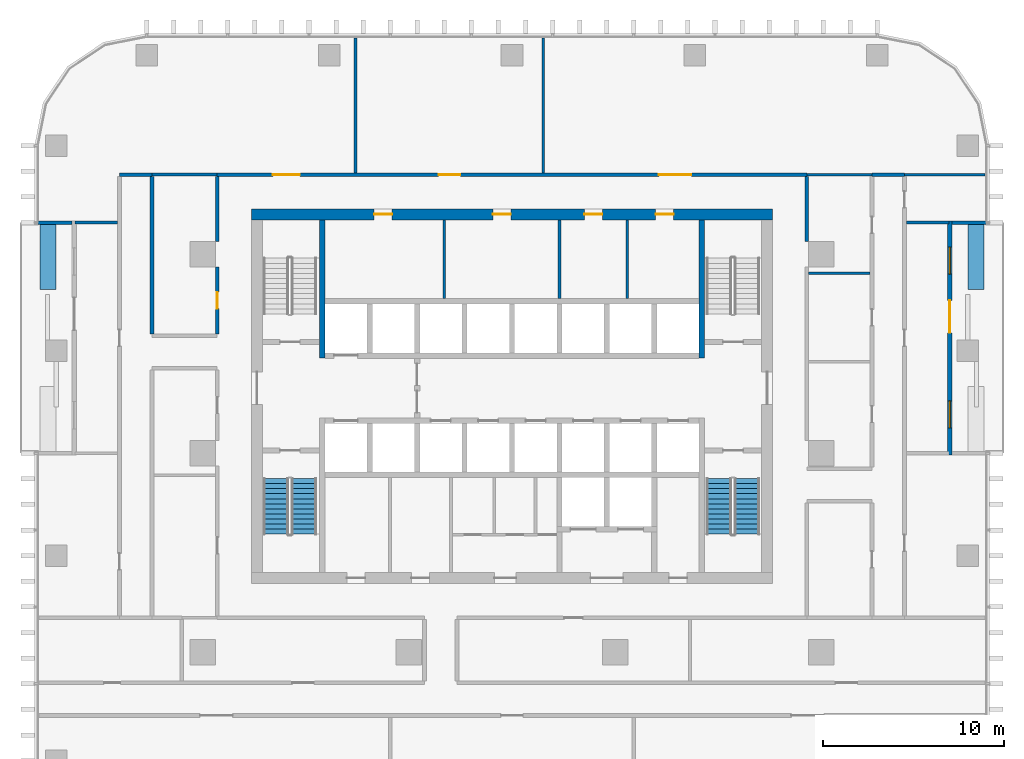
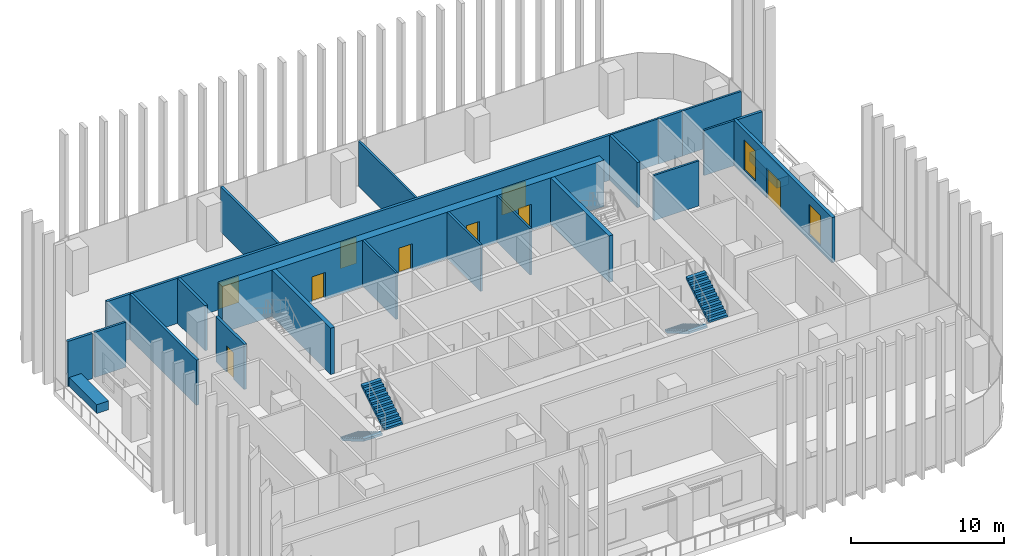
# One storey, part 10 of 15: 26 walls, 9 doors, 4 stair flights, 2 windows, 11 openings, 2 elements without a shape of their own.
"""IFC4 building model written with IfcOpenShell, lengths in metres."""

from ifc_helpers import new_model, si_unit, direction, frame, frame_2d, origin, place, context, subcontext, project, spatial, polyline, rectangle, outline, extrude, material, layer, layer_set, type_object, element, fill, aggregate, save


model = new_model("IFC4")

# Units and contexts
model_context = context("Model", 3, precision=1e-05, world=origin(), true_north=direction((0.0, 1.0)))
body_context = subcontext(model_context, "Body", "Model", "MODEL_VIEW")
ifc_project = project(units=[si_unit("LENGTHUNIT", "METRE"), si_unit("AREAUNIT", "SQUARE_METRE"), si_unit("VOLUMEUNIT", "CUBIC_METRE"), si_unit("PLANEANGLEUNIT", "RADIAN"), si_unit("MASSUNIT", "GRAM", prefix="KILO")], contexts=[model_context])

# Site, building, storey
site_placement = place(None, origin())
site = spatial("IfcSite", under=ifc_project, at=site_placement, CompositionType="ELEMENT")
building_placement = place(site_placement, origin())
building = spatial("IfcBuilding", under=site, at=building_placement, Name="Mopane Tessera Tower", CompositionType="ELEMENT")
storey_placement = place(building_placement, frame((0.0, 0.0, 169.0)))
storey = spatial("IfcBuildingStorey", under=building, at=storey_placement, Name="L34", CompositionType="ELEMENT", Elevation=169.0)

# Walls
ifc_material_1 = material(Name="Fire-rated gypsum board partition")
ifc_layer_1 = layer(ifc_material_1, 0.14990234375)
ifc_layer_set_1 = layer_set([ifc_layer_1], Name="Fire-rated gypsum board partition")
wall_type_1 = type_object("IfcWallType", Name="Core room partition 150 mm", PredefinedType="PARTITIONING", material=ifc_layer_set_1)
for number, where, z_axis, x_axis, name in (
    (1, (-3.75, 8.550048828125, 0.0), (0.0, 0.0, 1.0), (0.0, 1.0, 0.0), "L34 Room partition"),
    (2, (2.625, 8.550048828125, 0.0), (0.0, 0.0, 1.0), (0.0, 1.0, 0.0), "L34 Room partition"),
    (3, (6.375, 8.550048828125, 0.0), (0.0, 0.0, 1.0), (0.0, 1.0, 0.0), "L34 Room partition"),
):
    element("IfcWall", number, at=place(storey_placement, frame(where, z_axis=z_axis, x_axis=x_axis)), inside=storey, type_object=wall_type_1, Name=name, PredefinedType="PARTITIONING", context=body_context, shape_type="SweptSolid", body=[
        extrude(rectangle(XDim=4.349853515625, YDim=0.14990234375, at=frame_2d((2.1748046875, 0.0))), origin(), (0.0, 0.0, 1.0), 3.699951171875),
    ])

# Wall, openings, doors
ifc_material_2 = material(Name="Concrete C70/85", Category="concrete")
ifc_layer_2 = layer(ifc_material_2, 0.60009765625)
ifc_layer_set_2 = layer_set([ifc_layer_2], Name="Concrete C70/85")
wall_type_2 = type_object("IfcWallType", Name="Core shear wall 600 mm", PredefinedType="SHEAR", material=ifc_layer_set_2)
wall_1_placement = place(storey_placement, frame((-14.39990234375, 13.199951171875, 0.0), z_axis=(0.0, 0.0, 1.0), x_axis=(1.0, 0.0, 0.0)))
wall_1 = element("IfcWall", 4, at=wall_1_placement, inside=storey, type_object=wall_type_2, Name="L34 Core wall north", PredefinedType="SHEAR", context=body_context, shape_type="SweptSolid", body=[
    extrude(rectangle(XDim=28.7998046875, YDim=0.60009765625, at=frame_2d((14.39990234375, 0.0))), origin(), (0.0, 0.0, 1.0), 3.699951171875),
])
opening_1_placement = place(wall_1_placement, frame((6.77490234375, 0.0, 0.0)))
opening_1 = element("IfcOpeningElement", 5, at=opening_1_placement, cuts=wall_1, Name="Opening RD1", PredefinedType="OPENING", context=body_context, shape_type="SweptSolid", body=[
    extrude(rectangle(XDim=1.0, YDim=2.10009765625, at=frame_2d((0.5, 1.050048828125))), frame((0.0, 0.31201171875, 0.0), z_axis=(0.0, -1.0, 0.0), x_axis=(1.0, 0.0, 0.0)), (0.0, 0.0, 1.0), 0.6240234375),
])
opening_2_placement = place(wall_1_placement, frame((13.33740234375, 0.0, 0.0)))
opening_2 = element("IfcOpeningElement", 6, at=opening_2_placement, cuts=wall_1, Name="Opening RD1", PredefinedType="OPENING", context=body_context, shape_type="SweptSolid", body=[
    extrude(rectangle(XDim=1.0, YDim=2.10009765625, at=frame_2d((0.5, 1.050048828125))), frame((0.0, 0.31201171875, 0.0), z_axis=(0.0, -1.0, 0.0), x_axis=(1.0, 0.0, 0.0)), (0.0, 0.0, 1.0), 0.6240234375),
])
opening_3_placement = place(wall_1_placement, frame((18.39990234375, 0.0, 0.0)))
opening_3 = element("IfcOpeningElement", 7, at=opening_3_placement, cuts=wall_1, Name="Opening RD1", PredefinedType="OPENING", context=body_context, shape_type="SweptSolid", body=[
    extrude(rectangle(XDim=1.0, YDim=2.10009765625, at=frame_2d((0.5, 1.050048828125))), frame((0.0, 0.31201171875, 0.0), z_axis=(0.0, -1.0, 0.0), x_axis=(1.0, 0.0, 0.0)), (0.0, 0.0, 1.0), 0.6240234375),
])
opening_4_placement = place(wall_1_placement, frame((22.33740234375, 0.0, 0.0)))
opening_4 = element("IfcOpeningElement", 8, at=opening_4_placement, cuts=wall_1, Name="Opening RD1", PredefinedType="OPENING", context=body_context, shape_type="SweptSolid", body=[
    extrude(rectangle(XDim=1.0, YDim=2.10009765625, at=frame_2d((0.5, 1.050048828125))), frame((0.0, 0.31201171875, 0.0), z_axis=(0.0, -1.0, 0.0), x_axis=(1.0, 0.0, 0.0)), (0.0, 0.0, 1.0), 0.6240234375),
])
ifc_material_3 = material(Name="Timber door", Category="wood")
door_type_1 = type_object("IfcDoorType", Name="Core room door 1000 x 2100", OperationType="SINGLE_SWING_LEFT", PredefinedType="DOOR", material=ifc_material_3)
door_1_placement = place(opening_1_placement, origin())
door_1 = element("IfcDoor", 9, at=door_1_placement, inside=storey, type_object=door_type_1, Name="L34 Room door", OperationType="SINGLE_SWING_LEFT", OverallHeight=2.10009765625, OverallWidth=1.0, PredefinedType="DOOR", context=body_context, shape_type="SweptSolid", body=[
    extrude(rectangle(XDim=1.0, YDim=2.10009765625, at=frame_2d((0.5, 1.050048828125))), frame((0.0, 0.02490234375, 0.0), z_axis=(0.0, -1.0, 0.0), x_axis=(1.0, 0.0, 0.0)), (0.0, 0.0, 1.0), 0.050048828125),
])
fill(opening_1, door_1)
door_2_placement = place(opening_2_placement, origin())
door_2 = element("IfcDoor", 10, at=door_2_placement, inside=storey, type_object=door_type_1, Name="L34 Room door", OperationType="SINGLE_SWING_LEFT", OverallHeight=2.10009765625, OverallWidth=1.0, PredefinedType="DOOR", context=body_context, shape_type="SweptSolid", body=[
    extrude(rectangle(XDim=1.0, YDim=2.10009765625, at=frame_2d((0.5, 1.050048828125))), frame((0.0, 0.02490234375, 0.0), z_axis=(0.0, -1.0, 0.0), x_axis=(1.0, 0.0, 0.0)), (0.0, 0.0, 1.0), 0.050048828125),
])
fill(opening_2, door_2)
door_3_placement = place(opening_3_placement, origin())
door_3 = element("IfcDoor", 11, at=door_3_placement, inside=storey, type_object=door_type_1, Name="L34 Room door", OperationType="SINGLE_SWING_LEFT", OverallHeight=2.10009765625, OverallWidth=1.0, PredefinedType="DOOR", context=body_context, shape_type="SweptSolid", body=[
    extrude(rectangle(XDim=1.0, YDim=2.10009765625, at=frame_2d((0.5, 1.050048828125))), frame((0.0, 0.02490234375, 0.0), z_axis=(0.0, -1.0, 0.0), x_axis=(1.0, 0.0, 0.0)), (0.0, 0.0, 1.0), 0.050048828125),
])
fill(opening_3, door_3)
door_4_placement = place(opening_4_placement, origin())
door_4 = element("IfcDoor", 12, at=door_4_placement, inside=storey, type_object=door_type_1, Name="L34 Room door", OperationType="SINGLE_SWING_LEFT", OverallHeight=2.10009765625, OverallWidth=1.0, PredefinedType="DOOR", context=body_context, shape_type="SweptSolid", body=[
    extrude(rectangle(XDim=1.0, YDim=2.10009765625, at=frame_2d((0.5, 1.050048828125))), frame((0.0, 0.02490234375, 0.0), z_axis=(0.0, -1.0, 0.0), x_axis=(1.0, 0.0, 0.0)), (0.0, 0.0, 1.0), 0.050048828125),
])
fill(opening_4, door_4)

# Walls
ifc_material_4 = material(Name="Concrete C60/75", Category="concrete")
ifc_layer_3 = layer(ifc_material_4, 0.300048828125)
ifc_layer_set_3 = layer_set([ifc_layer_3], Name="Concrete C60/75")
wall_type_3 = type_object("IfcWallType", Name="Core spine wall 300 mm", PredefinedType="SHEAR", material=ifc_layer_set_3)
for number, where, z_axis, x_axis, name in (
    (13, (-10.5, 5.25, 0.0), (0.0, 0.0, 1.0), (0.0, 1.0, 0.0), "L34 Core spine wall"),
    (14, (10.5, 5.25, 0.0), (0.0, 0.0, 1.0), (0.0, 1.0, 0.0), "L34 Core spine wall"),
):
    element("IfcWall", number, at=place(storey_placement, frame(where, z_axis=z_axis, x_axis=x_axis)), inside=storey, type_object=wall_type_3, Name=name, PredefinedType="SHEAR", context=body_context, shape_type="SweptSolid", body=[
        extrude(rectangle(XDim=7.64990234375, YDim=0.300048828125, at=frame_2d((3.824951171875, 0.0))), origin(), (0.0, 0.0, 1.0), 3.699951171875),
    ])
ifc_material_5 = material(Name="Gypsum board on staggered steel studs, double layer each face, acoustic mineral wool infill", Category="steel")
ifc_layer_4 = layer(ifc_material_5, 0.175048828125)
ifc_layer_set_4 = layer_set([ifc_layer_4], Name="Gypsum board on staggered steel studs, double layer each face, acoustic mineral wool infill")
wall_type_4 = type_object("IfcWallType", Name="Gypsum board acoustic partition 175, rated EI 60", PredefinedType="PARTITIONING", material=ifc_layer_set_4)
wall_2_placement = place(storey_placement, frame((-24.14990234375, 12.75, 0.0), z_axis=(0.0, 0.0, 1.0), x_axis=(1.0, 0.0, 0.0)))
element("IfcWall", 15, at=wall_2_placement, inside=storey, type_object=wall_type_4, Name="Partition L34:022", PredefinedType="PARTITIONING", context=body_context, shape_type="SweptSolid", body=[
    extrude(rectangle(XDim=2.349853515625, YDim=0.175048828125, at=frame_2d((1.1748046875, 0.0))), origin(), (0.0, 0.0, 1.0), 3.60009765625),
])
wall_3_placement = place(storey_placement, frame((-19.89990234375, 15.39990234375, 0.0), z_axis=(0.0, 0.0, 1.0), x_axis=(1.0, 0.0, 0.0)))
element("IfcWall", 16, at=wall_3_placement, inside=storey, type_object=wall_type_4, Name="Partition L34:025", PredefinedType="PARTITIONING", context=body_context, shape_type="SweptSolid", body=[
    extrude(rectangle(XDim=3.599853515625, YDim=0.175048828125, at=frame_2d((1.7998046875, 0.0))), origin(), (0.0, 0.0, 1.0), 3.60009765625),
])
wall_4_placement = place(storey_placement, frame((-8.64990234375, 15.5, 0.0), z_axis=(0.0, 0.0, 1.0), x_axis=(0.0, 1.0, 0.0)))
element("IfcWall", 17, at=wall_4_placement, inside=storey, type_object=wall_type_4, Name="Partition L34:037", PredefinedType="PARTITIONING", context=body_context, shape_type="SweptSolid", body=[
    extrude(rectangle(XDim=7.449951171875, YDim=0.175048828125, at=frame_2d((3.72509765625, 0.0))), origin(), (0.0, 0.0, 1.0), 3.60009765625),
])
ifc_material_6 = material(Name="Gypsum board on steel studs, two layers each face, mineral wool infill", Category="steel")
ifc_layer_5 = layer(ifc_material_6, 0.199951171875)
ifc_layer_set_5 = layer_set([ifc_layer_5], Name="Gypsum board on steel studs, two layers each face, mineral wool infill")
wall_type_5 = type_object("IfcWallType", Name="Gypsum board corridor wall 200, rated EI 60", PredefinedType="PARTITIONING", material=ifc_layer_set_5)
wall_5_placement = place(storey_placement, frame((-21.699951171875, 15.39990234375, 0.0), z_axis=(0.0, 0.0, 1.0), x_axis=(1.0, 0.0, 0.0)))
element("IfcWall", 18, at=wall_5_placement, inside=storey, type_object=wall_type_5, Name="Partition L34:026", PredefinedType="PARTITIONING", context=body_context, shape_type="SweptSolid", body=[
    extrude(rectangle(XDim=1.800048828125, YDim=0.199951171875, at=frame_2d((0.89990234375, 0.0))), origin(), (0.0, 0.0, 1.0), 3.60009765625),
])

# Wall, openings, doors
wall_6_placement = place(storey_placement, frame((-16.300048828125, 15.39990234375, 0.0), z_axis=(0.0, 0.0, 1.0), x_axis=(1.0, 0.0, 0.0)))
wall_6 = element("IfcWall", 19, at=wall_6_placement, inside=storey, type_object=wall_type_5, Name="Partition L34:027", PredefinedType="PARTITIONING", context=body_context, shape_type="SweptSolid", body=[
    extrude(rectangle(XDim=32.60009765625, YDim=0.199951171875, at=frame_2d((16.300048828125, 0.0))), origin(), (0.0, 0.0, 1.0), 3.60009765625),
])
opening_5_placement = place(wall_6_placement, frame((24.4150390625, 0.0, 0.0)))
opening_5 = element("IfcOpeningElement", 20, at=opening_5_placement, cuts=wall_6, Name="Opening L34-15", PredefinedType="OPENING", context=body_context, shape_type="SweptSolid", body=[
    extrude(rectangle(XDim=1.800048828125, YDim=2.10009765625, at=frame_2d((0.89990234375, 1.050048828125))), frame((0.0, 0.112060546875, 0.0), z_axis=(0.0, -1.0, 0.0), x_axis=(1.0, 0.0, 0.0)), (0.0, 0.0, 1.0), 0.223876953125),
])
opening_6_placement = place(wall_6_placement, frame((12.239990234375, 0.0, 0.0)))
opening_6 = element("IfcOpeningElement", 21, at=opening_6_placement, cuts=wall_6, Name="Opening L34-20", PredefinedType="OPENING", context=body_context, shape_type="SweptSolid", body=[
    extrude(rectangle(XDim=1.199951171875, YDim=2.10009765625, at=frame_2d((0.60009765625, 1.050048828125))), frame((0.0, 0.112060546875, 0.0), z_axis=(0.0, -1.0, 0.0), x_axis=(1.0, 0.0, 0.0)), (0.0, 0.0, 1.0), 0.223876953125),
])
opening_7_placement = place(wall_6_placement, frame((3.074951171875, 0.0, 0.0)))
opening_7 = element("IfcOpeningElement", 22, at=opening_7_placement, cuts=wall_6, Name="Opening L34-21", PredefinedType="OPENING", context=body_context, shape_type="SweptSolid", body=[
    extrude(rectangle(XDim=1.5, YDim=2.10009765625, at=frame_2d((0.75, 1.050048828125))), frame((0.0, 0.112060546875, 0.0), z_axis=(0.0, -1.0, 0.0), x_axis=(1.0, 0.0, 0.0)), (0.0, 0.0, 1.0), 0.223876953125),
])
ifc_material_7 = material(Name="Timber veneered steel-framed fire door", Category="steel")
door_type_2 = type_object("IfcDoorType", Name="Fire door FD60 1200 x 2100", OperationType="SINGLE_SWING_LEFT", PredefinedType="DOOR", material=ifc_material_7)
door_5_placement = place(opening_6_placement, origin())
door_5 = element("IfcDoor", 23, at=door_5_placement, inside=storey, type_object=door_type_2, Name="Door L34-20", ObjectType="D15A", OperationType="SINGLE_SWING_LEFT", OverallHeight=2.10009765625, OverallWidth=1.199951171875, PredefinedType="DOOR", context=body_context, shape_type="SweptSolid", body=[
    extrude(rectangle(XDim=1.199951171875, YDim=2.10009765625, at=frame_2d((0.60009765625, 1.050048828125))), frame((0.0, 0.02490234375, 0.0), z_axis=(0.0, -1.0, 0.0), x_axis=(1.0, 0.0, 0.0)), (0.0, 0.0, 1.0), 0.050048828125),
])
fill(opening_6, door_5)
ifc_material_8 = material(Name="Timber veneered steel-framed fire door", Category="steel")
door_type_3 = type_object("IfcDoorType", Name="Fire door pair FD60 1500 x 2100", OperationType="DOUBLE_DOOR_SINGLE_SWING", PredefinedType="DOOR", material=ifc_material_8)
door_6_placement = place(opening_7_placement, origin())
door_6 = element("IfcDoor", 24, at=door_6_placement, inside=storey, type_object=door_type_3, Name="Door L34-21", ObjectType="D17A", OperationType="DOUBLE_DOOR_SINGLE_SWING", OverallHeight=2.10009765625, OverallWidth=1.5, PredefinedType="DOOR", context=body_context, shape_type="SweptSolid", body=[
    extrude(rectangle(XDim=1.5, YDim=2.10009765625, at=frame_2d((0.75, 1.050048828125))), frame((0.0, 0.02490234375, 0.0), z_axis=(0.0, -1.0, 0.0), x_axis=(1.0, 0.0, 0.0)), (0.0, 0.0, 1.0), 0.050048828125),
])
fill(opening_7, door_6)
ifc_material_9 = material(Name="Timber veneered steel-framed fire door", Category="steel")
door_type_4 = type_object("IfcDoorType", Name="Fire door pair FD60 1800 x 2100", OperationType="DOUBLE_DOOR_SINGLE_SWING", PredefinedType="DOOR", material=ifc_material_9)
door_7_placement = place(opening_5_placement, origin())
door_7 = element("IfcDoor", 25, at=door_7_placement, inside=storey, type_object=door_type_4, Name="Door L34-15", ObjectType="D20A", OperationType="DOUBLE_DOOR_SINGLE_SWING", OverallHeight=2.10009765625, OverallWidth=1.800048828125, PredefinedType="DOOR", context=body_context, shape_type="SweptSolid", body=[
    extrude(rectangle(XDim=1.800048828125, YDim=2.10009765625, at=frame_2d((0.89990234375, 1.050048828125))), frame((0.0, 0.02490234375, 0.0), z_axis=(0.0, -1.0, 0.0), x_axis=(1.0, 0.0, 0.0)), (0.0, 0.0, 1.0), 0.050048828125),
])
fill(opening_5, door_7)

# Walls
wall_7_placement = place(storey_placement, frame((19.89990234375, 15.39990234375, 0.0), z_axis=(0.0, 0.0, 1.0), x_axis=(1.0, 0.0, 0.0)))
element("IfcWall", 26, at=wall_7_placement, inside=storey, type_object=wall_type_5, Name="Partition L34:028", PredefinedType="PARTITIONING", context=body_context, shape_type="SweptSolid", body=[
    extrude(rectangle(XDim=1.800048828125, YDim=0.199951171875, at=frame_2d((0.89990234375, 0.0))), origin(), (0.0, 0.0, 1.0), 3.60009765625),
])
wall_8_placement = place(storey_placement, frame((-19.89990234375, 6.60009765625, 0.0), z_axis=(0.0, 0.0, 1.0), x_axis=(0.0, 1.0, 0.0)))
element("IfcWall", 27, at=wall_8_placement, inside=storey, type_object=wall_type_5, Name="Partition L34:031", PredefinedType="PARTITIONING", context=body_context, shape_type="SweptSolid", body=[
    extrude(rectangle(XDim=8.699951171875, YDim=0.199951171875, at=frame_2d((4.35009765625, 0.0))), origin(), (0.0, 0.0, 1.0), 3.60009765625),
])

# Wall, opening, door
wall_9_placement = place(storey_placement, frame((-16.300048828125, 6.60009765625, 0.0), z_axis=(0.0, 0.0, 1.0), x_axis=(0.0, 1.0, 0.0)))
wall_9 = element("IfcWall", 28, at=wall_9_placement, inside=storey, type_object=wall_type_5, Name="Partition L34:035", PredefinedType="PARTITIONING", context=body_context, shape_type="SweptSolid", body=[
    extrude(rectangle(XDim=3.699951171875, YDim=0.199951171875, at=frame_2d((1.85009765625, 0.0))), origin(), (0.0, 0.0, 1.0), 3.60009765625),
])
opening_8_placement = place(wall_9_placement, frame((1.39990234375, 0.0, 0.0)))
opening_8 = element("IfcOpeningElement", 29, at=opening_8_placement, cuts=wall_9, Name="Opening L34-13", PredefinedType="OPENING", context=body_context, shape_type="SweptSolid", body=[
    extrude(rectangle(XDim=0.89990234375, YDim=2.10009765625, at=frame_2d((0.449951171875, 1.050048828125))), frame((0.0, 0.112060546875, 0.0), z_axis=(0.0, -1.0, 0.0), x_axis=(1.0, 0.0, 0.0)), (0.0, 0.0, 1.0), 0.223876953125),
])
ifc_material_10 = material(Name="Timber veneered steel-framed fire door", Category="steel")
door_type_5 = type_object("IfcDoorType", Name="Fire door FD60 900 x 2100", OperationType="SINGLE_SWING_LEFT", PredefinedType="DOOR", material=ifc_material_10)
door_8_placement = place(opening_8_placement, origin())
door_8 = element("IfcDoor", 30, at=door_8_placement, inside=storey, type_object=door_type_5, Name="Door L34-13", ObjectType="D10A", OperationType="SINGLE_SWING_RIGHT", OverallHeight=2.10009765625, OverallWidth=0.89990234375, PredefinedType="DOOR", context=body_context, shape_type="SweptSolid", body=[
    extrude(rectangle(XDim=0.89990234375, YDim=2.10009765625, at=frame_2d((0.449951171875, 1.050048828125))), frame((0.0, 0.02490234375, 0.0), z_axis=(0.0, -1.0, 0.0), x_axis=(1.0, 0.0, 0.0)), (0.0, 0.0, 1.0), 0.050048828125),
])
fill(opening_8, door_8)

# Walls
for number, where, z_axis, x_axis, name in (
    (31, (-16.300048828125, 11.699951171875, 0.0), (0.0, 0.0, 1.0), (0.0, 1.0, 0.0), "Partition L34:036"),
    (32, (16.300048828125, 11.699951171875, 0.0), (0.0, 0.0, 1.0), (0.0, 1.0, 0.0), "Partition L34:046"),
):
    element("IfcWall", number, at=place(storey_placement, frame(where, z_axis=z_axis, x_axis=x_axis)), inside=storey, type_object=wall_type_5, Name=name, PredefinedType="PARTITIONING", context=body_context, shape_type="SweptSolid", body=[
        extrude(rectangle(XDim=3.60009765625, YDim=0.199951171875, at=frame_2d((1.800048828125, 0.0))), origin(), (0.0, 0.0, 1.0), 3.60009765625),
    ])
ifc_material_11 = material(Name="Gypsum board on steel studs, mineral wool infill", Category="steel")
ifc_layer_6 = layer(ifc_material_11, 0.14990234375)
ifc_layer_set_6 = layer_set([ifc_layer_6], Name="Gypsum board on steel studs, mineral wool infill")
wall_type_6 = type_object("IfcWallType", Name="Gypsum board partition 150, rated EI 60", PredefinedType="PARTITIONING", material=ifc_layer_set_6)
wall_10_placement = place(storey_placement, frame((16.39990234375, 9.945068359375, 0.0), z_axis=(0.0, 0.0, 1.0), x_axis=(1.0, 0.0, 0.0)))
element("IfcWall", 33, at=wall_10_placement, inside=storey, type_object=wall_type_6, Name="Partition L34:020", PredefinedType="PARTITIONING", context=body_context, shape_type="SweptSolid", body=[
    extrude(rectangle(XDim=3.400146484375, YDim=0.14990234375, at=frame_2d((1.7001953125, 0.0))), origin(), (0.0, 0.0, 1.0), 3.60009765625),
])
wall_11_placement = place(storey_placement, frame((21.800048828125, 12.75, 0.0), z_axis=(0.0, 0.0, 1.0), x_axis=(1.0, 0.0, 0.0)))
element("IfcWall", 34, at=wall_11_placement, inside=storey, type_object=wall_type_6, Name="Partition L34:021", PredefinedType="PARTITIONING", context=body_context, shape_type="SweptSolid", body=[
    extrude(rectangle(XDim=2.349853515625, YDim=0.14990234375, at=frame_2d((1.1748046875, 0.0))), origin(), (0.0, 0.0, 1.0), 3.60009765625),
])
wall_12_placement = place(storey_placement, frame((16.300048828125, 15.39990234375, 0.0), z_axis=(0.0, 0.0, 1.0), x_axis=(1.0, 0.0, 0.0)))
element("IfcWall", 35, at=wall_12_placement, inside=storey, type_object=wall_type_6, Name="Partition L34:023", PredefinedType="PARTITIONING", context=body_context, shape_type="SweptSolid", body=[
    extrude(rectangle(XDim=3.599853515625, YDim=0.14990234375, at=frame_2d((1.7998046875, 0.0))), origin(), (0.0, 0.0, 1.0), 3.60009765625),
])
wall_13_placement = place(storey_placement, frame((21.699951171875, 15.39990234375, 0.0), z_axis=(0.0, 0.0, 1.0), x_axis=(1.0, 0.0, 0.0)))
element("IfcWall", 36, at=wall_13_placement, inside=storey, type_object=wall_type_6, Name="Partition L34:024", PredefinedType="PARTITIONING", context=body_context, shape_type="SweptSolid", body=[
    extrude(rectangle(XDim=4.449951171875, YDim=0.14990234375, at=frame_2d((2.22509765625, 0.0))), origin(), (0.0, 0.0, 1.0), 3.60009765625),
])
wall_14_placement = place(storey_placement, frame((1.72998046875, 15.5, 0.0), z_axis=(0.0, 0.0, 1.0), x_axis=(0.0, 1.0, 0.0)))
element("IfcWall", 37, at=wall_14_placement, inside=storey, type_object=wall_type_6, Name="Partition L34:041", PredefinedType="PARTITIONING", context=body_context, shape_type="SweptSolid", body=[
    extrude(rectangle(XDim=7.449951171875, YDim=0.14990234375, at=frame_2d((3.72509765625, 0.0))), origin(), (0.0, 0.0, 1.0), 3.60009765625),
])
ifc_material_12 = material(Name="Reinforced concrete C32/40 with waterproofing", Category="concrete")
ifc_layer_7 = layer(ifc_material_12, 0.89990234375)
ifc_layer_set_7 = layer_set([ifc_layer_7], Name="Reinforced concrete C32/40 with waterproofing")
wall_type_7 = type_object("IfcWallType", Name="Planter trough 3600 x 900", PredefinedType="STANDARD", material=ifc_layer_set_7)
for number, where, z_axis, x_axis, name in (
    (38, (-25.64990234375, 12.64990234375, 0.0), (0.0, 0.0, 1.0), (0.0, -1.0, 0.0), "e:nw:L34:N1:pl0"),
    (39, (25.64990234375, 9.050048828125, 0.0), (0.0, 0.0, 1.0), (0.0, 1.0, 0.0), "e:nw:L34:N3:pl1"),
):
    element("IfcWall", number, at=place(storey_placement, frame(where, z_axis=z_axis, x_axis=x_axis)), inside=storey, type_object=wall_type_7, Name=name, PredefinedType="STANDARD", context=body_context, shape_type="SweptSolid", body=[
        extrude(rectangle(XDim=3.599853515625, YDim=0.89990234375, at=frame_2d((1.7998046875, 0.0))), origin(), (0.0, 0.0, 1.0), 0.699951171875),
    ])
ifc_material_13 = material(Name="Blockwork with glazed tile facing", Category="masonry")
ifc_layer_8 = layer(ifc_material_13, 0.199951171875)
ifc_layer_set_8 = layer_set([ifc_layer_8], Name="Blockwork with glazed tile facing")
wall_type_8 = type_object("IfcWallType", Name="Terrace cheek wall 200", PredefinedType="STANDARD", material=ifc_layer_set_8)
for number, where, z_axis, x_axis, name in (
    (40, (-26.199951171875, 12.75, 0.0), (0.0, 0.0, 1.0), (1.0, 0.0, 0.0), "e:nw:L34:N1:cheeka"),
    (41, (26.199951171875, 12.75, 0.0), (0.0, 0.0, 1.0), (-1.0, 0.0, 0.0), "e:nw:L34:N3:cheekb"),
):
    element("IfcWall", number, at=place(storey_placement, frame(where, z_axis=z_axis, x_axis=x_axis)), inside=storey, type_object=wall_type_8, Name=name, PredefinedType="STANDARD", context=body_context, shape_type="SweptSolid", body=[
        extrude(rectangle(XDim=1.875, YDim=0.199951171875, at=frame_2d((0.9375, 0.0))), origin(), (0.0, 0.0, 1.0), 3.60009765625),
    ])

# Wall, openings, windows, door
ifc_material_14 = material(Name="Blockwork with ochre glazed tile facing", Category="masonry")
ifc_layer_9 = layer(ifc_material_14, 0.25)
ifc_layer_set_9 = layer_set([ifc_layer_9], Name="Blockwork with ochre glazed tile facing")
wall_type_9 = type_object("IfcWallType", Name="Tile-clad external wall 250, ochre", PredefinedType="STANDARD", material=ifc_layer_set_9)
wall_15_placement = place(storey_placement, frame((24.199951171875, -0.10009765625, 0.0), z_axis=(0.0, 0.0, 1.0), x_axis=(0.0, 1.0, 0.0)))
wall_15 = element("IfcWall", 42, at=wall_15_placement, inside=storey, type_object=wall_type_9, Name="e:nw:L34:N3:back", PredefinedType="STANDARD", context=body_context, shape_type="SweptSolid", body=[
    extrude(rectangle(XDim=12.9501953125, YDim=0.25, at=frame_2d((6.47509765625, 0.0))), origin(), (0.0, 0.0, 1.0), 3.60009765625),
])
opening_9_placement = place(wall_15_placement, frame((1.5, 0.0, 0.449951171875)))
opening_9 = element("IfcOpeningElement", 43, at=opening_9_placement, cuts=wall_15, Name="Opening NW343A", PredefinedType="OPENING", context=body_context, shape_type="SweptSolid", body=[
    extrude(rectangle(XDim=1.5, YDim=2.39990234375, at=frame_2d((0.75, 1.199951171875))), frame((0.0, 0.136962890625, 0.0), z_axis=(0.0, -1.0, 0.0), x_axis=(1.0, 0.0, 0.0)), (0.0, 0.0, 1.0), 0.27392578125),
])
opening_10_placement = place(wall_15_placement, frame((6.75, 0.0, 0.0)))
opening_10 = element("IfcOpeningElement", 44, at=opening_10_placement, cuts=wall_15, Name="Opening ND343", PredefinedType="OPENING", context=body_context, shape_type="SweptSolid", body=[
    extrude(rectangle(XDim=1.800048828125, YDim=2.39990234375, at=frame_2d((0.89990234375, 1.199951171875))), frame((0.0, 0.136962890625, 0.0), z_axis=(0.0, -1.0, 0.0), x_axis=(1.0, 0.0, 0.0)), (0.0, 0.0, 1.0), 0.27392578125),
])
opening_11_placement = place(wall_15_placement, frame((10.0, 0.0, 0.449951171875)))
opening_11 = element("IfcOpeningElement", 45, at=opening_11_placement, cuts=wall_15, Name="Opening NW343B", PredefinedType="OPENING", context=body_context, shape_type="SweptSolid", body=[
    extrude(rectangle(XDim=1.5, YDim=2.39990234375, at=frame_2d((0.75, 1.199951171875))), frame((0.0, 0.136962890625, 0.0), z_axis=(0.0, -1.0, 0.0), x_axis=(1.0, 0.0, 0.0)), (0.0, 0.0, 1.0), 0.27392578125),
])
ifc_material_15 = material(Name="Clear laminated glass", Category="glass")
window_type = type_object("IfcWindowType", Name="Fixed window 1500 x 2400", PartitioningType="SINGLE_PANEL", PredefinedType="WINDOW", material=ifc_material_15)
window_1_placement = place(opening_9_placement, origin())
window_1 = element("IfcWindow", 46, at=window_1_placement, inside=storey, type_object=window_type, Name="e:nw:L34:N3:win0", OverallHeight=2.39990234375, OverallWidth=1.5, PartitioningType="SINGLE_PANEL", PredefinedType="WINDOW", context=body_context, shape_type="SweptSolid", body=[
    extrude(rectangle(XDim=1.5, YDim=2.39990234375, at=frame_2d((0.75, 1.199951171875))), frame((0.0, 0.030029296875, 0.0), z_axis=(0.0, -1.0, 0.0), x_axis=(1.0, 0.0, 0.0)), (0.0, 0.0, 1.0), 0.06005859375),
])
fill(opening_9, window_1)
window_2_placement = place(opening_11_placement, origin())
window_2 = element("IfcWindow", 47, at=window_2_placement, inside=storey, type_object=window_type, Name="e:nw:L34:N3:win2", OverallHeight=2.39990234375, OverallWidth=1.5, PartitioningType="SINGLE_PANEL", PredefinedType="WINDOW", context=body_context, shape_type="SweptSolid", body=[
    extrude(rectangle(XDim=1.5, YDim=2.39990234375, at=frame_2d((0.75, 1.199951171875))), frame((0.0, 0.030029296875, 0.0), z_axis=(0.0, -1.0, 0.0), x_axis=(1.0, 0.0, 0.0)), (0.0, 0.0, 1.0), 0.06005859375),
])
fill(opening_11, window_2)
ifc_material_16 = material(Name="Aluminium and clear glass", Category="aluminium")
door_type_6 = type_object("IfcDoorType", Name="Terrace double door 1800 x 2400", OperationType="DOUBLE_DOOR_SINGLE_SWING", PredefinedType="DOOR", material=ifc_material_16)
door_9_placement = place(opening_10_placement, origin())
door_9 = element("IfcDoor", 48, at=door_9_placement, inside=storey, type_object=door_type_6, Name="e:nw:L34:N3:door", ObjectType="D1", OperationType="DOUBLE_DOOR_SINGLE_SWING", OverallHeight=2.39990234375, OverallWidth=1.800048828125, PredefinedType="DOOR", context=body_context, shape_type="SweptSolid", body=[
    extrude(rectangle(XDim=1.800048828125, YDim=2.39990234375, at=frame_2d((0.89990234375, 1.199951171875))), frame((0.0, 0.02490234375, 0.0), z_axis=(0.0, -1.0, 0.0), x_axis=(1.0, 0.0, 0.0)), (0.0, 0.0, 1.0), 0.050048828125),
])
fill(opening_10, door_9)

# Stair, stair flights
ifc_material_17 = material(Name="Concrete C50/60", Category="concrete")
stair_type = type_object("IfcStairType", Name="Escape stair 1400 mm, riser 167 mm", PredefinedType="HALF_TURN_STAIR", material=ifc_material_17)
stair_1_placement = place(storey_placement, origin())
stair_1 = element("IfcStair", 49, at=stair_1_placement, inside=storey, type_object=stair_type, Name="L34 Escape stair south-west", PredefinedType="HALF_TURN_STAIR")
ifc_material_18 = material(Name="Concrete C50/60", Category="concrete")
stair_flight_type = type_object("IfcStairFlightType", Name="Escape stair flight 1400 mm", PredefinedType="STRAIGHT", material=ifc_material_18)
stair_flight_1_placement = place(storey_placement, frame((-13.050048828125, -1.39990234375, 0.0), z_axis=(0.0, 0.0, 1.0), x_axis=(0.0, -1.0, 0.0)))
stair_flight_1 = element("IfcStairFlight", 50, at=stair_flight_1_placement, type_object=stair_flight_type, Name="ST1 flight 1", NumberOfRisers=12, NumberOfTreads=11, PredefinedType="STRAIGHT", RiserHeight=0.166666667, TreadLength=0.28, context=body_context, shape_type="SweptSolid", body=[
    extrude(outline(polyline([(0.0, 0.0), (0.0, 0.166748046875), (0.280029296875, 0.166748046875), (0.280029296875, 0.333251953125), (0.56005859375, 0.333251953125), (0.56005859375, 0.5), (0.840087890625, 0.5), (0.840087890625, 0.666748046875), (1.1201171875, 0.666748046875), (1.1201171875, 0.833251953125), (1.39990234375, 0.833251953125), (1.39990234375, 1.0), (1.679931640625, 1.0), (1.679931640625, 1.166748046875), (1.9599609375, 1.166748046875), (1.9599609375, 1.333251953125), (2.239990234375, 1.333251953125), (2.239990234375, 1.5), (2.52001953125, 1.5), (2.52001953125, 1.666748046875), (2.800048828125, 1.666748046875), (2.800048828125, 1.833251953125), (3.080078125, 1.833251953125), (3.080078125, 2.0), (3.080078125, 1.658935546875), (0.29296875, 0.0), (0.0, 0.0)])), frame((0.0, 0.699951171875, 0.0), z_axis=(0.0, -1.0, 0.0), x_axis=(1.0, 0.0, 0.0)), (0.0, 0.0, 1.0), 1.39990234375),
])
stair_flight_2_placement = place(storey_placement, frame((-11.5, -4.47998046875, 2.0), z_axis=(0.0, 0.0, 1.0), x_axis=(0.0, 1.0, 0.0)))
stair_flight_2 = element("IfcStairFlight", 51, at=stair_flight_2_placement, type_object=stair_flight_type, Name="ST1 flight 2", NumberOfRisers=12, NumberOfTreads=11, PredefinedType="STRAIGHT", RiserHeight=0.166666667, TreadLength=0.28, context=body_context, shape_type="SweptSolid", body=[
    extrude(outline(polyline([(0.0, 0.0), (0.0, 0.166748046875), (0.280029296875, 0.166748046875), (0.280029296875, 0.333251953125), (0.56005859375, 0.333251953125), (0.56005859375, 0.5), (0.840087890625, 0.5), (0.840087890625, 0.666748046875), (1.1201171875, 0.666748046875), (1.1201171875, 0.833251953125), (1.39990234375, 0.833251953125), (1.39990234375, 1.0), (1.679931640625, 1.0), (1.679931640625, 1.166748046875), (1.9599609375, 1.166748046875), (1.9599609375, 1.333251953125), (2.239990234375, 1.333251953125), (2.239990234375, 1.5), (2.52001953125, 1.5), (2.52001953125, 1.666748046875), (2.800048828125, 1.666748046875), (2.800048828125, 1.833251953125), (3.080078125, 1.833251953125), (3.080078125, 2.0), (3.080078125, 1.658935546875), (0.29296875, 0.0), (0.0, 0.0)])), frame((0.0, 0.699951171875, 0.0), z_axis=(0.0, -1.0, 0.0), x_axis=(1.0, 0.0, 0.0)), (0.0, 0.0, 1.0), 1.39990234375),
])
aggregate(stair_1, [stair_flight_1, stair_flight_2])

stair_2_placement = place(storey_placement, origin())
stair_2 = element("IfcStair", 52, at=stair_2_placement, inside=storey, type_object=stair_type, Name="L34 Escape stair south-east", PredefinedType="HALF_TURN_STAIR")
stair_flight_3_placement = place(storey_placement, frame((11.449951171875, -1.39990234375, 0.0), z_axis=(0.0, 0.0, 1.0), x_axis=(0.0, -1.0, 0.0)))
stair_flight_3 = element("IfcStairFlight", 53, at=stair_flight_3_placement, type_object=stair_flight_type, Name="ST3 flight 1", NumberOfRisers=12, NumberOfTreads=11, PredefinedType="STRAIGHT", RiserHeight=0.166666667, TreadLength=0.28, context=body_context, shape_type="SweptSolid", body=[
    extrude(outline(polyline([(0.0, 0.0), (0.0, 0.166748046875), (0.280029296875, 0.166748046875), (0.280029296875, 0.333251953125), (0.56005859375, 0.333251953125), (0.56005859375, 0.5), (0.840087890625, 0.5), (0.840087890625, 0.666748046875), (1.1201171875, 0.666748046875), (1.1201171875, 0.833251953125), (1.39990234375, 0.833251953125), (1.39990234375, 1.0), (1.679931640625, 1.0), (1.679931640625, 1.166748046875), (1.9599609375, 1.166748046875), (1.9599609375, 1.333251953125), (2.239990234375, 1.333251953125), (2.239990234375, 1.5), (2.52001953125, 1.5), (2.52001953125, 1.666748046875), (2.800048828125, 1.666748046875), (2.800048828125, 1.833251953125), (3.080078125, 1.833251953125), (3.080078125, 2.0), (3.080078125, 1.658935546875), (0.29296875, 0.0), (0.0, 0.0)])), frame((0.0, 0.699951171875, 0.0), z_axis=(0.0, -1.0, 0.0), x_axis=(1.0, 0.0, 0.0)), (0.0, 0.0, 1.0), 1.39990234375),
])
stair_flight_4_placement = place(storey_placement, frame((13.0, -4.47998046875, 2.0), z_axis=(0.0, 0.0, 1.0), x_axis=(0.0, 1.0, 0.0)))
stair_flight_4 = element("IfcStairFlight", 54, at=stair_flight_4_placement, type_object=stair_flight_type, Name="ST3 flight 2", NumberOfRisers=12, NumberOfTreads=11, PredefinedType="STRAIGHT", RiserHeight=0.166666667, TreadLength=0.28, context=body_context, shape_type="SweptSolid", body=[
    extrude(outline(polyline([(0.0, 0.0), (0.0, 0.166748046875), (0.280029296875, 0.166748046875), (0.280029296875, 0.333251953125), (0.56005859375, 0.333251953125), (0.56005859375, 0.5), (0.840087890625, 0.5), (0.840087890625, 0.666748046875), (1.1201171875, 0.666748046875), (1.1201171875, 0.833251953125), (1.39990234375, 0.833251953125), (1.39990234375, 1.0), (1.679931640625, 1.0), (1.679931640625, 1.166748046875), (1.9599609375, 1.166748046875), (1.9599609375, 1.333251953125), (2.239990234375, 1.333251953125), (2.239990234375, 1.5), (2.52001953125, 1.5), (2.52001953125, 1.666748046875), (2.800048828125, 1.666748046875), (2.800048828125, 1.833251953125), (3.080078125, 1.833251953125), (3.080078125, 2.0), (3.080078125, 1.658935546875), (0.29296875, 0.0), (0.0, 0.0)])), frame((0.0, 0.699951171875, 0.0), z_axis=(0.0, -1.0, 0.0), x_axis=(1.0, 0.0, 0.0)), (0.0, 0.0, 1.0), 1.39990234375),
])
aggregate(stair_2, [stair_flight_3, stair_flight_4])

save(model, "model.ifc")
